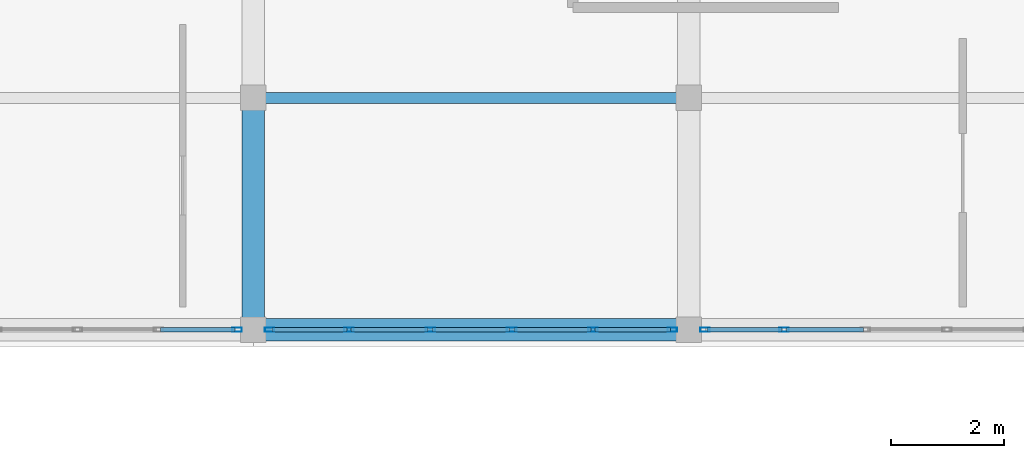
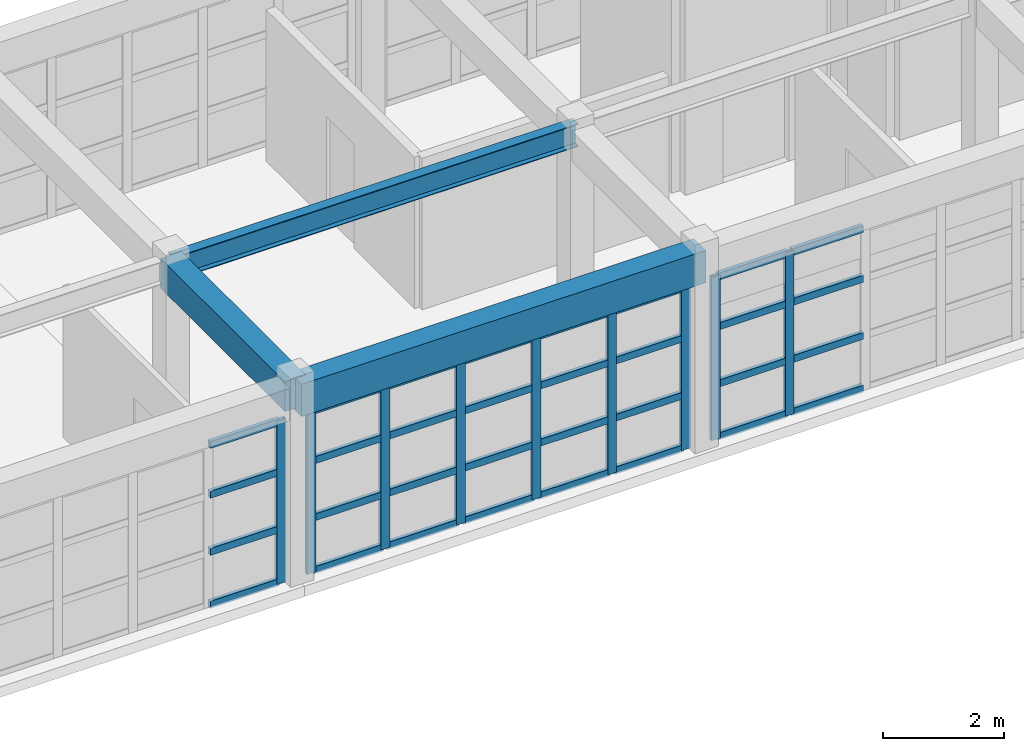
# One storey, part 12 of 52: 41 members, 3 beams, 3 elements without a shape of their own.
"""IFC4 building model written with IfcOpenShell, lengths in metres."""

from ifc_helpers import new_model, si_unit, direction, frame, origin, origin_2d, place, context, subcontext, project, spatial, rectangle, hollow_rectangle, i_section, extrude, material, layer, layer_set, material_profile, profile_set, type_object, element, aggregate, save


model = new_model("IFC4")

# Units and contexts
model_context = context("Model", 3, precision=1e-05, world=origin(), true_north=direction((0.0, 1.0)))
body_context = subcontext(model_context, "Body", "Model", "MODEL_VIEW")
ifc_project = project(units=[si_unit("LENGTHUNIT", "METRE"), si_unit("AREAUNIT", "SQUARE_METRE"), si_unit("VOLUMEUNIT", "CUBIC_METRE"), si_unit("PLANEANGLEUNIT", "RADIAN"), si_unit("MASSUNIT", "GRAM", prefix="KILO")], contexts=[model_context])

# Site, building, storey
site_placement = place(None, origin())
site = spatial("IfcSite", under=ifc_project, at=site_placement, CompositionType="ELEMENT")
building_placement = place(site_placement, origin())
building = spatial("IfcBuilding", under=site, at=building_placement, Name="Candilejo Ridge Gondola Terminal", CompositionType="ELEMENT")
storey_placement = place(building_placement, frame((0.0, 0.0, 18.60009765625)))
storey = spatial("IfcBuildingStorey", under=building, at=storey_placement, Name="L04", CompositionType="ELEMENT", Elevation=18.60009765625)

# Curtain wall, member
ifc_material_1 = material(Name="Anodised aluminium AA 6063-T6", Category="aluminium")
ifc_layer_1 = layer(ifc_material_1, 0.169921875)
ifc_layer_set_1 = layer_set([ifc_layer_1], Name="ARC-CW-GALLERY-3200-715X329")
curtain_wall_type_1 = type_object("IfcCurtainWallType", Name="ARC-CW-GALLERY-3200-715X329", PredefinedType="NOTDEFINED", material=ifc_layer_set_1)
curtain_wall_1_placement = place(storey_placement, origin())
curtain_wall_1 = element("IfcCurtainWall", 1, at=curtain_wall_1_placement, inside=storey, type_object=curtain_wall_type_1, Name="Curtain wall V3 L04-103", PredefinedType="NOTDEFINED")
ifc_material_2 = material(Name="Anodised aluminium AA 6063-T6", Category="aluminium")
ifc_material_profile_1 = material_profile(ifc_material_2, hollow_rectangle(XDim=0.074951171875, YDim=0.169921875, WallThickness=0.00390625, at=origin_2d()))
ifc_profile_set_1 = profile_set([ifc_material_profile_1], Name="Anodised aluminium AA 6063-T6")
member_type_1 = type_object("IfcMemberType", Name="ARC-CW-MULLION", PredefinedType="MULLION", material=ifc_profile_set_1)
member_1_placement = place(storey_placement, frame((109.5625, 25.699951171875, 0.0), z_axis=(0.0, 0.0, 1.0), x_axis=(0.0, 1.0, 0.0)))
member_1 = element("IfcMember", 2, at=member_1_placement, type_object=member_type_1, Name="CW-71X32 mullion 6", PredefinedType="MULLION", context=body_context, shape_type="SweptSolid", body=[
    extrude(hollow_rectangle(XDim=0.074951171875, YDim=0.169921875, WallThickness=0.00390625, at=origin_2d()), origin(), (0.0, 0.0, 1.0), 3.289794921875),
])

# Curtain wall, members
ifc_material_3 = material(Name="Anodised aluminium AA 6063-T6", Category="aluminium")
ifc_layer_2 = layer(ifc_material_3, 0.169921875)
ifc_layer_set_2 = layer_set([ifc_layer_2], Name="ARC-CW-GALLERY-3200-720X329")
curtain_wall_type_2 = type_object("IfcCurtainWallType", Name="ARC-CW-GALLERY-3200-720X329", PredefinedType="NOTDEFINED", material=ifc_layer_set_2)
curtain_wall_2_placement = place(storey_placement, origin())
curtain_wall_2 = element("IfcCurtainWall", 3, at=curtain_wall_2_placement, inside=storey, type_object=curtain_wall_type_2, Name="Curtain wall V3 L04-105", PredefinedType="NOTDEFINED")
member_2_placement = place(storey_placement, frame((110.137451171875, 25.699951171875, 0.0), z_axis=(0.0, 0.0, 1.0), x_axis=(0.0, 1.0, 0.0)))
member_2 = element("IfcMember", 4, at=member_2_placement, type_object=member_type_1, Name="CW-72X32 mullion 1", PredefinedType="MULLION", context=body_context, shape_type="SweptSolid", body=[
    extrude(hollow_rectangle(XDim=0.074951171875, YDim=0.169921875, WallThickness=0.00390625, at=origin_2d()), origin(), (0.0, 0.0, 1.0), 3.289794921875),
])
member_3_placement = place(storey_placement, frame((111.5400390625, 25.699951171875, 0.0), z_axis=(0.0, 0.0, 1.0), x_axis=(0.0, 1.0, 0.0)))
member_3 = element("IfcMember", 5, at=member_3_placement, type_object=member_type_1, Name="CW-72X32 mullion 2", PredefinedType="MULLION", context=body_context, shape_type="SweptSolid", body=[
    extrude(hollow_rectangle(XDim=0.074951171875, YDim=0.169921875, WallThickness=0.00390625, at=origin_2d()), origin(), (0.0, 0.0, 1.0), 3.289794921875),
])
member_4_placement = place(storey_placement, frame((112.97998046875, 25.699951171875, 0.0), z_axis=(0.0, 0.0, 1.0), x_axis=(0.0, 1.0, 0.0)))
member_4 = element("IfcMember", 6, at=member_4_placement, type_object=member_type_1, Name="CW-72X32 mullion 3", PredefinedType="MULLION", context=body_context, shape_type="SweptSolid", body=[
    extrude(hollow_rectangle(XDim=0.074951171875, YDim=0.169921875, WallThickness=0.00390625, at=origin_2d()), origin(), (0.0, 0.0, 1.0), 3.289794921875),
])
member_5_placement = place(storey_placement, frame((114.419921875, 25.699951171875, 0.0), z_axis=(0.0, 0.0, 1.0), x_axis=(0.0, 1.0, 0.0)))
member_5 = element("IfcMember", 7, at=member_5_placement, type_object=member_type_1, Name="CW-72X32 mullion 4", PredefinedType="MULLION", context=body_context, shape_type="SweptSolid", body=[
    extrude(hollow_rectangle(XDim=0.074951171875, YDim=0.169921875, WallThickness=0.00390625, at=origin_2d()), origin(), (0.0, 0.0, 1.0), 3.289794921875),
])
member_6_placement = place(storey_placement, frame((115.860107421875, 25.699951171875, 0.0), z_axis=(0.0, 0.0, 1.0), x_axis=(0.0, 1.0, 0.0)))
member_6 = element("IfcMember", 8, at=member_6_placement, type_object=member_type_1, Name="CW-72X32 mullion 5", PredefinedType="MULLION", context=body_context, shape_type="SweptSolid", body=[
    extrude(hollow_rectangle(XDim=0.074951171875, YDim=0.169921875, WallThickness=0.00390625, at=origin_2d()), origin(), (0.0, 0.0, 1.0), 3.289794921875),
])
member_7_placement = place(storey_placement, frame((117.262451171875, 25.699951171875, 0.0), z_axis=(0.0, 0.0, 1.0), x_axis=(0.0, 1.0, 0.0)))
member_7 = element("IfcMember", 9, at=member_7_placement, type_object=member_type_1, Name="CW-72X32 mullion 6", PredefinedType="MULLION", context=body_context, shape_type="SweptSolid", body=[
    extrude(hollow_rectangle(XDim=0.074951171875, YDim=0.169921875, WallThickness=0.00390625, at=origin_2d()), origin(), (0.0, 0.0, 1.0), 3.289794921875),
])

curtain_wall_3_placement = place(storey_placement, origin())
curtain_wall_3 = element("IfcCurtainWall", 10, at=curtain_wall_3_placement, inside=storey, type_object=curtain_wall_type_2, Name="Curtain wall V3 L04-107", PredefinedType="NOTDEFINED")
member_8_placement = place(storey_placement, frame((117.83740234375, 25.699951171875, 0.0), z_axis=(0.0, 0.0, 1.0), x_axis=(0.0, 1.0, 0.0)))
member_8 = element("IfcMember", 11, at=member_8_placement, type_object=member_type_1, Name="CW-72X32 mullion 1", PredefinedType="MULLION", context=body_context, shape_type="SweptSolid", body=[
    extrude(hollow_rectangle(XDim=0.074951171875, YDim=0.169921875, WallThickness=0.00390625, at=origin_2d()), origin(), (0.0, 0.0, 1.0), 3.289794921875),
])
member_9_placement = place(storey_placement, frame((119.239990234375, 25.699951171875, 0.0), z_axis=(0.0, 0.0, 1.0), x_axis=(0.0, 1.0, 0.0)))
member_9 = element("IfcMember", 12, at=member_9_placement, type_object=member_type_1, Name="CW-72X32 mullion 2", PredefinedType="MULLION", context=body_context, shape_type="SweptSolid", body=[
    extrude(hollow_rectangle(XDim=0.074951171875, YDim=0.169921875, WallThickness=0.00390625, at=origin_2d()), origin(), (0.0, 0.0, 1.0), 3.289794921875),
])

# Member
ifc_material_4 = material(Name="Anodised aluminium AA 6063-T6", Category="aluminium")
ifc_material_profile_2 = material_profile(ifc_material_4, hollow_rectangle(XDim=0.074951171875, YDim=0.139892578125, WallThickness=0.00390625, at=origin_2d()))
ifc_profile_set_2 = profile_set([ifc_material_profile_2], Name="Anodised aluminium AA 6063-T6")
member_type_2 = type_object("IfcMemberType", Name="ARC-CW-TRANSOM", PredefinedType="USERDEFINED", material=ifc_profile_set_2)
member_10_placement = place(storey_placement, frame((108.20751953125, 25.699951171875, 0.037353515625), z_axis=(1.0, 0.0, 0.0), x_axis=(0.0, 1.0, 0.0)))
member_10 = element("IfcMember", 13, at=member_10_placement, type_object=member_type_2, Name="CW-71X32 transom 5.1", ObjectType="TRANSOM", PredefinedType="USERDEFINED", context=body_context, shape_type="SweptSolid", body=[
    extrude(hollow_rectangle(XDim=0.074951171875, YDim=0.139892578125, WallThickness=0.00390625, at=origin_2d()), origin(), (0.0, 0.0, 1.0), 1.3173828125),
])

member_11_placement = place(storey_placement, frame((108.20751953125, 25.699951171875, 1.099853515625), z_axis=(1.0, 0.0, 0.0), x_axis=(0.0, 1.0, 0.0)))
member_11 = element("IfcMember", 14, at=member_11_placement, type_object=member_type_2, Name="CW-71X32 transom 5.2", ObjectType="TRANSOM", PredefinedType="USERDEFINED", context=body_context, shape_type="SweptSolid", body=[
    extrude(hollow_rectangle(XDim=0.074951171875, YDim=0.139892578125, WallThickness=0.00390625, at=origin_2d()), origin(), (0.0, 0.0, 1.0), 1.3173828125),
])

member_12_placement = place(storey_placement, frame((108.20751953125, 25.699951171875, 2.25), z_axis=(1.0, 0.0, 0.0), x_axis=(0.0, 1.0, 0.0)))
member_12 = element("IfcMember", 15, at=member_12_placement, type_object=member_type_2, Name="CW-71X32 transom 5.3", ObjectType="TRANSOM", PredefinedType="USERDEFINED", context=body_context, shape_type="SweptSolid", body=[
    extrude(hollow_rectangle(XDim=0.074951171875, YDim=0.139892578125, WallThickness=0.00390625, at=origin_2d()), origin(), (0.0, 0.0, 1.0), 1.3173828125),
])

member_13_placement = place(storey_placement, frame((108.20751953125, 25.699951171875, 3.25244140625), z_axis=(1.0, 0.0, 0.0), x_axis=(0.0, 1.0, 0.0)))
member_13 = element("IfcMember", 16, at=member_13_placement, type_object=member_type_2, Name="CW-71X32 transom 5.4", ObjectType="TRANSOM", PredefinedType="USERDEFINED", context=body_context, shape_type="SweptSolid", body=[
    extrude(hollow_rectangle(XDim=0.074951171875, YDim=0.139892578125, WallThickness=0.00390625, at=origin_2d()), origin(), (0.0, 0.0, 1.0), 1.3173828125),
])

aggregate(curtain_wall_1, [member_1, member_10, member_11, member_12, member_13])

member_14_placement = place(storey_placement, frame((110.175048828125, 25.699951171875, 0.037353515625), z_axis=(1.0, 0.0, 0.0), x_axis=(0.0, 1.0, 0.0)))
member_14 = element("IfcMember", 17, at=member_14_placement, type_object=member_type_2, Name="CW-72X32 transom 1.1", ObjectType="TRANSOM", PredefinedType="USERDEFINED", context=body_context, shape_type="SweptSolid", body=[
    extrude(hollow_rectangle(XDim=0.074951171875, YDim=0.139892578125, WallThickness=0.00390625, at=origin_2d()), origin(), (0.0, 0.0, 1.0), 1.327392578125),
])

member_15_placement = place(storey_placement, frame((110.175048828125, 25.699951171875, 1.099853515625), z_axis=(1.0, 0.0, 0.0), x_axis=(0.0, 1.0, 0.0)))
member_15 = element("IfcMember", 18, at=member_15_placement, type_object=member_type_2, Name="CW-72X32 transom 1.2", ObjectType="TRANSOM", PredefinedType="USERDEFINED", context=body_context, shape_type="SweptSolid", body=[
    extrude(hollow_rectangle(XDim=0.074951171875, YDim=0.139892578125, WallThickness=0.00390625, at=origin_2d()), origin(), (0.0, 0.0, 1.0), 1.327392578125),
])

member_16_placement = place(storey_placement, frame((110.175048828125, 25.699951171875, 2.25), z_axis=(1.0, 0.0, 0.0), x_axis=(0.0, 1.0, 0.0)))
member_16 = element("IfcMember", 19, at=member_16_placement, type_object=member_type_2, Name="CW-72X32 transom 1.3", ObjectType="TRANSOM", PredefinedType="USERDEFINED", context=body_context, shape_type="SweptSolid", body=[
    extrude(hollow_rectangle(XDim=0.074951171875, YDim=0.139892578125, WallThickness=0.00390625, at=origin_2d()), origin(), (0.0, 0.0, 1.0), 1.327392578125),
])

member_17_placement = place(storey_placement, frame((110.175048828125, 25.699951171875, 3.25244140625), z_axis=(1.0, 0.0, 0.0), x_axis=(0.0, 1.0, 0.0)))
member_17 = element("IfcMember", 20, at=member_17_placement, type_object=member_type_2, Name="CW-72X32 transom 1.4", ObjectType="TRANSOM", PredefinedType="USERDEFINED", context=body_context, shape_type="SweptSolid", body=[
    extrude(hollow_rectangle(XDim=0.074951171875, YDim=0.139892578125, WallThickness=0.00390625, at=origin_2d()), origin(), (0.0, 0.0, 1.0), 1.327392578125),
])

member_18_placement = place(storey_placement, frame((111.577392578125, 25.699951171875, 0.037353515625), z_axis=(1.0, 0.0, 0.0), x_axis=(0.0, 1.0, 0.0)))
member_18 = element("IfcMember", 21, at=member_18_placement, type_object=member_type_2, Name="CW-72X32 transom 2.1", ObjectType="TRANSOM", PredefinedType="USERDEFINED", context=body_context, shape_type="SweptSolid", body=[
    extrude(hollow_rectangle(XDim=0.074951171875, YDim=0.139892578125, WallThickness=0.00390625, at=origin_2d()), origin(), (0.0, 0.0, 1.0), 1.364990234375),
])

member_19_placement = place(storey_placement, frame((111.577392578125, 25.699951171875, 1.099853515625), z_axis=(1.0, 0.0, 0.0), x_axis=(0.0, 1.0, 0.0)))
member_19 = element("IfcMember", 22, at=member_19_placement, type_object=member_type_2, Name="CW-72X32 transom 2.2", ObjectType="TRANSOM", PredefinedType="USERDEFINED", context=body_context, shape_type="SweptSolid", body=[
    extrude(hollow_rectangle(XDim=0.074951171875, YDim=0.139892578125, WallThickness=0.00390625, at=origin_2d()), origin(), (0.0, 0.0, 1.0), 1.364990234375),
])

member_20_placement = place(storey_placement, frame((111.577392578125, 25.699951171875, 2.25), z_axis=(1.0, 0.0, 0.0), x_axis=(0.0, 1.0, 0.0)))
member_20 = element("IfcMember", 23, at=member_20_placement, type_object=member_type_2, Name="CW-72X32 transom 2.3", ObjectType="TRANSOM", PredefinedType="USERDEFINED", context=body_context, shape_type="SweptSolid", body=[
    extrude(hollow_rectangle(XDim=0.074951171875, YDim=0.139892578125, WallThickness=0.00390625, at=origin_2d()), origin(), (0.0, 0.0, 1.0), 1.364990234375),
])

member_21_placement = place(storey_placement, frame((111.577392578125, 25.699951171875, 3.25244140625), z_axis=(1.0, 0.0, 0.0), x_axis=(0.0, 1.0, 0.0)))
member_21 = element("IfcMember", 24, at=member_21_placement, type_object=member_type_2, Name="CW-72X32 transom 2.4", ObjectType="TRANSOM", PredefinedType="USERDEFINED", context=body_context, shape_type="SweptSolid", body=[
    extrude(hollow_rectangle(XDim=0.074951171875, YDim=0.139892578125, WallThickness=0.00390625, at=origin_2d()), origin(), (0.0, 0.0, 1.0), 1.364990234375),
])

member_22_placement = place(storey_placement, frame((113.017578125, 25.699951171875, 0.037353515625), z_axis=(1.0, 0.0, 0.0), x_axis=(0.0, 1.0, 0.0)))
member_22 = element("IfcMember", 25, at=member_22_placement, type_object=member_type_2, Name="CW-72X32 transom 3.1", ObjectType="TRANSOM", PredefinedType="USERDEFINED", context=body_context, shape_type="SweptSolid", body=[
    extrude(hollow_rectangle(XDim=0.074951171875, YDim=0.139892578125, WallThickness=0.00390625, at=origin_2d()), origin(), (0.0, 0.0, 1.0), 1.364990234375),
])

member_23_placement = place(storey_placement, frame((113.017578125, 25.699951171875, 1.099853515625), z_axis=(1.0, 0.0, 0.0), x_axis=(0.0, 1.0, 0.0)))
member_23 = element("IfcMember", 26, at=member_23_placement, type_object=member_type_2, Name="CW-72X32 transom 3.2", ObjectType="TRANSOM", PredefinedType="USERDEFINED", context=body_context, shape_type="SweptSolid", body=[
    extrude(hollow_rectangle(XDim=0.074951171875, YDim=0.139892578125, WallThickness=0.00390625, at=origin_2d()), origin(), (0.0, 0.0, 1.0), 1.364990234375),
])

member_24_placement = place(storey_placement, frame((113.017578125, 25.699951171875, 2.25), z_axis=(1.0, 0.0, 0.0), x_axis=(0.0, 1.0, 0.0)))
member_24 = element("IfcMember", 27, at=member_24_placement, type_object=member_type_2, Name="CW-72X32 transom 3.3", ObjectType="TRANSOM", PredefinedType="USERDEFINED", context=body_context, shape_type="SweptSolid", body=[
    extrude(hollow_rectangle(XDim=0.074951171875, YDim=0.139892578125, WallThickness=0.00390625, at=origin_2d()), origin(), (0.0, 0.0, 1.0), 1.364990234375),
])

member_25_placement = place(storey_placement, frame((113.017578125, 25.699951171875, 3.25244140625), z_axis=(1.0, 0.0, 0.0), x_axis=(0.0, 1.0, 0.0)))
member_25 = element("IfcMember", 28, at=member_25_placement, type_object=member_type_2, Name="CW-72X32 transom 3.4", ObjectType="TRANSOM", PredefinedType="USERDEFINED", context=body_context, shape_type="SweptSolid", body=[
    extrude(hollow_rectangle(XDim=0.074951171875, YDim=0.139892578125, WallThickness=0.00390625, at=origin_2d()), origin(), (0.0, 0.0, 1.0), 1.364990234375),
])

member_26_placement = place(storey_placement, frame((114.45751953125, 25.699951171875, 0.037353515625), z_axis=(1.0, 0.0, 0.0), x_axis=(0.0, 1.0, 0.0)))
member_26 = element("IfcMember", 29, at=member_26_placement, type_object=member_type_2, Name="CW-72X32 transom 4.1", ObjectType="TRANSOM", PredefinedType="USERDEFINED", context=body_context, shape_type="SweptSolid", body=[
    extrude(hollow_rectangle(XDim=0.074951171875, YDim=0.139892578125, WallThickness=0.00390625, at=origin_2d()), origin(), (0.0, 0.0, 1.0), 1.364990234375),
])

member_27_placement = place(storey_placement, frame((114.45751953125, 25.699951171875, 1.099853515625), z_axis=(1.0, 0.0, 0.0), x_axis=(0.0, 1.0, 0.0)))
member_27 = element("IfcMember", 30, at=member_27_placement, type_object=member_type_2, Name="CW-72X32 transom 4.2", ObjectType="TRANSOM", PredefinedType="USERDEFINED", context=body_context, shape_type="SweptSolid", body=[
    extrude(hollow_rectangle(XDim=0.074951171875, YDim=0.139892578125, WallThickness=0.00390625, at=origin_2d()), origin(), (0.0, 0.0, 1.0), 1.364990234375),
])

member_28_placement = place(storey_placement, frame((114.45751953125, 25.699951171875, 2.25), z_axis=(1.0, 0.0, 0.0), x_axis=(0.0, 1.0, 0.0)))
member_28 = element("IfcMember", 31, at=member_28_placement, type_object=member_type_2, Name="CW-72X32 transom 4.3", ObjectType="TRANSOM", PredefinedType="USERDEFINED", context=body_context, shape_type="SweptSolid", body=[
    extrude(hollow_rectangle(XDim=0.074951171875, YDim=0.139892578125, WallThickness=0.00390625, at=origin_2d()), origin(), (0.0, 0.0, 1.0), 1.364990234375),
])

member_29_placement = place(storey_placement, frame((114.45751953125, 25.699951171875, 3.25244140625), z_axis=(1.0, 0.0, 0.0), x_axis=(0.0, 1.0, 0.0)))
member_29 = element("IfcMember", 32, at=member_29_placement, type_object=member_type_2, Name="CW-72X32 transom 4.4", ObjectType="TRANSOM", PredefinedType="USERDEFINED", context=body_context, shape_type="SweptSolid", body=[
    extrude(hollow_rectangle(XDim=0.074951171875, YDim=0.139892578125, WallThickness=0.00390625, at=origin_2d()), origin(), (0.0, 0.0, 1.0), 1.364990234375),
])

member_30_placement = place(storey_placement, frame((115.8974609375, 25.699951171875, 0.037353515625), z_axis=(1.0, 0.0, 0.0), x_axis=(0.0, 1.0, 0.0)))
member_30 = element("IfcMember", 33, at=member_30_placement, type_object=member_type_2, Name="CW-72X32 transom 5.1", ObjectType="TRANSOM", PredefinedType="USERDEFINED", context=body_context, shape_type="SweptSolid", body=[
    extrude(hollow_rectangle(XDim=0.074951171875, YDim=0.139892578125, WallThickness=0.00390625, at=origin_2d()), origin(), (0.0, 0.0, 1.0), 1.32763671875),
])

member_31_placement = place(storey_placement, frame((115.8974609375, 25.699951171875, 1.099853515625), z_axis=(1.0, 0.0, 0.0), x_axis=(0.0, 1.0, 0.0)))
member_31 = element("IfcMember", 34, at=member_31_placement, type_object=member_type_2, Name="CW-72X32 transom 5.2", ObjectType="TRANSOM", PredefinedType="USERDEFINED", context=body_context, shape_type="SweptSolid", body=[
    extrude(hollow_rectangle(XDim=0.074951171875, YDim=0.139892578125, WallThickness=0.00390625, at=origin_2d()), origin(), (0.0, 0.0, 1.0), 1.32763671875),
])

member_32_placement = place(storey_placement, frame((115.8974609375, 25.699951171875, 2.25), z_axis=(1.0, 0.0, 0.0), x_axis=(0.0, 1.0, 0.0)))
member_32 = element("IfcMember", 35, at=member_32_placement, type_object=member_type_2, Name="CW-72X32 transom 5.3", ObjectType="TRANSOM", PredefinedType="USERDEFINED", context=body_context, shape_type="SweptSolid", body=[
    extrude(hollow_rectangle(XDim=0.074951171875, YDim=0.139892578125, WallThickness=0.00390625, at=origin_2d()), origin(), (0.0, 0.0, 1.0), 1.32763671875),
])

member_33_placement = place(storey_placement, frame((115.8974609375, 25.699951171875, 3.25244140625), z_axis=(1.0, 0.0, 0.0), x_axis=(0.0, 1.0, 0.0)))
member_33 = element("IfcMember", 36, at=member_33_placement, type_object=member_type_2, Name="CW-72X32 transom 5.4", ObjectType="TRANSOM", PredefinedType="USERDEFINED", context=body_context, shape_type="SweptSolid", body=[
    extrude(hollow_rectangle(XDim=0.074951171875, YDim=0.139892578125, WallThickness=0.00390625, at=origin_2d()), origin(), (0.0, 0.0, 1.0), 1.32763671875),
])

aggregate(curtain_wall_2, [member_2, member_3, member_4, member_5, member_6, member_7, member_14, member_15, member_16, member_17, member_18, member_19, member_20, member_21, member_22, member_23, member_24, member_25, member_26, member_27, member_28, member_29, member_30, member_31, member_32, member_33])

member_34_placement = place(storey_placement, frame((117.875, 25.699951171875, 0.037353515625), z_axis=(1.0, 0.0, 0.0), x_axis=(0.0, 1.0, 0.0)))
member_34 = element("IfcMember", 37, at=member_34_placement, type_object=member_type_2, Name="CW-72X32 transom 1.1", ObjectType="TRANSOM", PredefinedType="USERDEFINED", context=body_context, shape_type="SweptSolid", body=[
    extrude(hollow_rectangle(XDim=0.074951171875, YDim=0.139892578125, WallThickness=0.00390625, at=origin_2d()), origin(), (0.0, 0.0, 1.0), 1.327392578125),
])

member_35_placement = place(storey_placement, frame((117.875, 25.699951171875, 1.099853515625), z_axis=(1.0, 0.0, 0.0), x_axis=(0.0, 1.0, 0.0)))
member_35 = element("IfcMember", 38, at=member_35_placement, type_object=member_type_2, Name="CW-72X32 transom 1.2", ObjectType="TRANSOM", PredefinedType="USERDEFINED", context=body_context, shape_type="SweptSolid", body=[
    extrude(hollow_rectangle(XDim=0.074951171875, YDim=0.139892578125, WallThickness=0.00390625, at=origin_2d()), origin(), (0.0, 0.0, 1.0), 1.327392578125),
])

member_36_placement = place(storey_placement, frame((117.875, 25.699951171875, 2.25), z_axis=(1.0, 0.0, 0.0), x_axis=(0.0, 1.0, 0.0)))
member_36 = element("IfcMember", 39, at=member_36_placement, type_object=member_type_2, Name="CW-72X32 transom 1.3", ObjectType="TRANSOM", PredefinedType="USERDEFINED", context=body_context, shape_type="SweptSolid", body=[
    extrude(hollow_rectangle(XDim=0.074951171875, YDim=0.139892578125, WallThickness=0.00390625, at=origin_2d()), origin(), (0.0, 0.0, 1.0), 1.327392578125),
])

member_37_placement = place(storey_placement, frame((117.875, 25.699951171875, 3.25244140625), z_axis=(1.0, 0.0, 0.0), x_axis=(0.0, 1.0, 0.0)))
member_37 = element("IfcMember", 40, at=member_37_placement, type_object=member_type_2, Name="CW-72X32 transom 1.4", ObjectType="TRANSOM", PredefinedType="USERDEFINED", context=body_context, shape_type="SweptSolid", body=[
    extrude(hollow_rectangle(XDim=0.074951171875, YDim=0.139892578125, WallThickness=0.00390625, at=origin_2d()), origin(), (0.0, 0.0, 1.0), 1.327392578125),
])

member_38_placement = place(storey_placement, frame((119.277587890625, 25.699951171875, 0.037353515625), z_axis=(1.0, 0.0, 0.0), x_axis=(0.0, 1.0, 0.0)))
member_38 = element("IfcMember", 41, at=member_38_placement, type_object=member_type_2, Name="CW-72X32 transom 2.1", ObjectType="TRANSOM", PredefinedType="USERDEFINED", context=body_context, shape_type="SweptSolid", body=[
    extrude(hollow_rectangle(XDim=0.074951171875, YDim=0.139892578125, WallThickness=0.00390625, at=origin_2d()), origin(), (0.0, 0.0, 1.0), 1.364990234375),
])

member_39_placement = place(storey_placement, frame((119.277587890625, 25.699951171875, 1.099853515625), z_axis=(1.0, 0.0, 0.0), x_axis=(0.0, 1.0, 0.0)))
member_39 = element("IfcMember", 42, at=member_39_placement, type_object=member_type_2, Name="CW-72X32 transom 2.2", ObjectType="TRANSOM", PredefinedType="USERDEFINED", context=body_context, shape_type="SweptSolid", body=[
    extrude(hollow_rectangle(XDim=0.074951171875, YDim=0.139892578125, WallThickness=0.00390625, at=origin_2d()), origin(), (0.0, 0.0, 1.0), 1.364990234375),
])

member_40_placement = place(storey_placement, frame((119.277587890625, 25.699951171875, 2.25), z_axis=(1.0, 0.0, 0.0), x_axis=(0.0, 1.0, 0.0)))
member_40 = element("IfcMember", 43, at=member_40_placement, type_object=member_type_2, Name="CW-72X32 transom 2.3", ObjectType="TRANSOM", PredefinedType="USERDEFINED", context=body_context, shape_type="SweptSolid", body=[
    extrude(hollow_rectangle(XDim=0.074951171875, YDim=0.139892578125, WallThickness=0.00390625, at=origin_2d()), origin(), (0.0, 0.0, 1.0), 1.364990234375),
])

member_41_placement = place(storey_placement, frame((119.277587890625, 25.699951171875, 3.25244140625), z_axis=(1.0, 0.0, 0.0), x_axis=(0.0, 1.0, 0.0)))
member_41 = element("IfcMember", 44, at=member_41_placement, type_object=member_type_2, Name="CW-72X32 transom 2.4", ObjectType="TRANSOM", PredefinedType="USERDEFINED", context=body_context, shape_type="SweptSolid", body=[
    extrude(hollow_rectangle(XDim=0.074951171875, YDim=0.139892578125, WallThickness=0.00390625, at=origin_2d()), origin(), (0.0, 0.0, 1.0), 1.364990234375),
])

aggregate(curtain_wall_3, [member_8, member_9, member_34, member_35, member_36, member_37, member_38, member_39, member_40, member_41])

# Beams
ifc_material_5 = material(Name="Concrete f'c 35 MPa (C35/45)", Category="concrete")
ifc_material_profile_3 = material_profile(ifc_material_5, rectangle(XDim=0.39990234375, YDim=0.60009765625, at=origin_2d()))
ifc_profile_set_3 = profile_set([ifc_material_profile_3], Name="Concrete f'c 35 MPa (C35/45)")
beam_type_1 = type_object("IfcBeamType", Name="STR-BM-RC400X600", PredefinedType="BEAM", material=ifc_profile_set_3)
beam_1_placement = place(storey_placement, frame((109.85009765625, 25.699951171875, 3.699951171875), z_axis=(0.0, 1.0, 0.0), x_axis=(-1.0, 0.0, 0.0)))
element("IfcBeam", 45, at=beam_1_placement, inside=storey, type_object=beam_type_1, Name="Beam Y V3 L04 Y05-Y06@X17", PredefinedType="BEAM", context=body_context, shape_type="SweptSolid", body=[
    extrude(rectangle(XDim=0.39990234375, YDim=0.60009765625, at=origin_2d()), origin(), (0.0, 0.0, 1.0), 4.10009765625),
])
ifc_material_6 = material(Name="Steel ASTM A992 Grade 50", Category="steel")
ifc_material_profile_4 = material_profile(ifc_material_6, i_section(OverallWidth=0.18994140625, OverallDepth=0.45703125, WebThickness=0.009033203125, FlangeThickness=0.014404296875, at=origin_2d()))
ifc_profile_set_4 = profile_set([ifc_material_profile_4], Name="Steel ASTM A992 Grade 50")
beam_type_2 = type_object("IfcBeamType", Name="STR-BM-W460X74", PredefinedType="BEAM", material=ifc_profile_set_4)
beam_2_placement = place(storey_placement, frame((109.85009765625, 29.800048828125, 3.771484375), z_axis=(1.0, 0.0, 0.0), x_axis=(0.0, 1.0, 0.0)))
element("IfcBeam", 46, at=beam_2_placement, inside=storey, type_object=beam_type_2, Name="Beam X V3 L04 X17-X18@Y06", PredefinedType="BEAM", context=body_context, shape_type="SweptSolid", body=[
    extrude(i_section(OverallWidth=0.18994140625, OverallDepth=0.45703125, WebThickness=0.009033203125, FlangeThickness=0.014404296875, at=origin_2d()), origin(), (0.0, 0.0, 1.0), 7.699951171875),
])
ifc_material_7 = material(Name="Concrete f'c 35 MPa (C35/45)", Category="concrete")
ifc_material_profile_5 = material_profile(ifc_material_7, rectangle(XDim=0.39990234375, YDim=0.64990234375, at=origin_2d()))
ifc_profile_set_5 = profile_set([ifc_material_profile_5], Name="Concrete f'c 35 MPa (C35/45)")
beam_type_3 = type_object("IfcBeamType", Name="STR-SPN-RC400X650", PredefinedType="SPANDREL", material=ifc_profile_set_5)
beam_3_placement = place(storey_placement, frame((109.85009765625, 25.699951171875, 3.6748046875), z_axis=(1.0, 0.0, 0.0), x_axis=(0.0, 1.0, 0.0)))
element("IfcBeam", 47, at=beam_3_placement, inside=storey, type_object=beam_type_3, Name="Beam X V3 L04 X17-X18@Y05", PredefinedType="SPANDREL", context=body_context, shape_type="SweptSolid", body=[
    extrude(rectangle(XDim=0.39990234375, YDim=0.64990234375, at=origin_2d()), origin(), (0.0, 0.0, 1.0), 7.699951171875),
])

save(model, "model.ifc")
